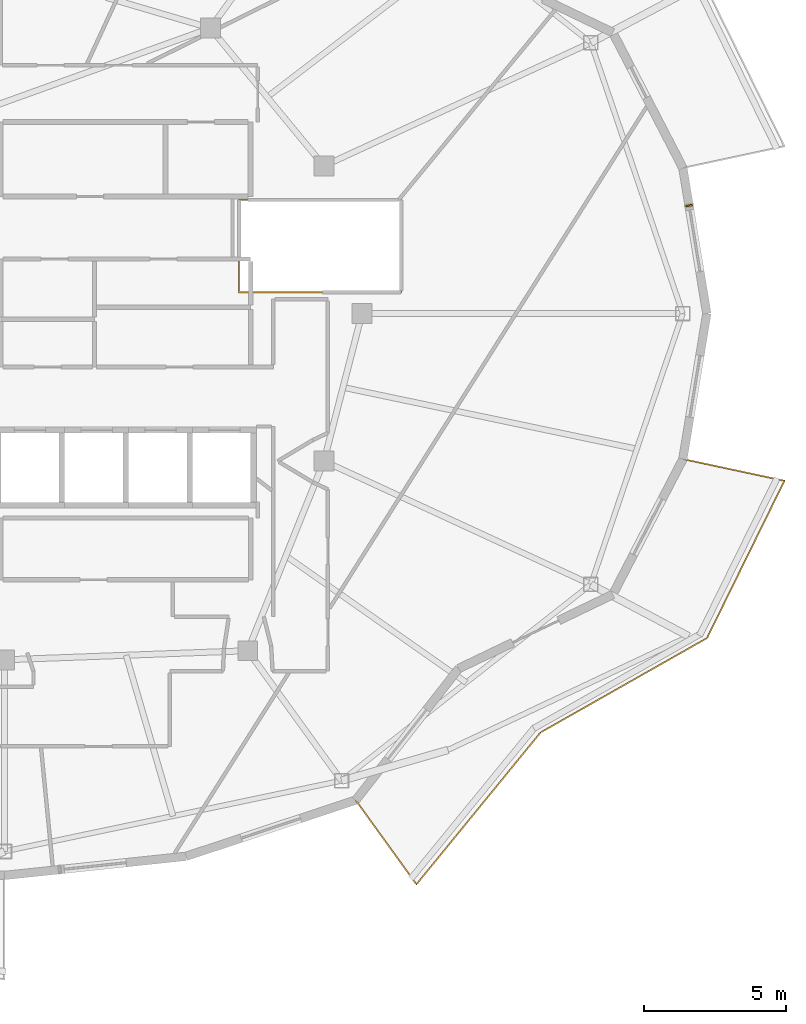
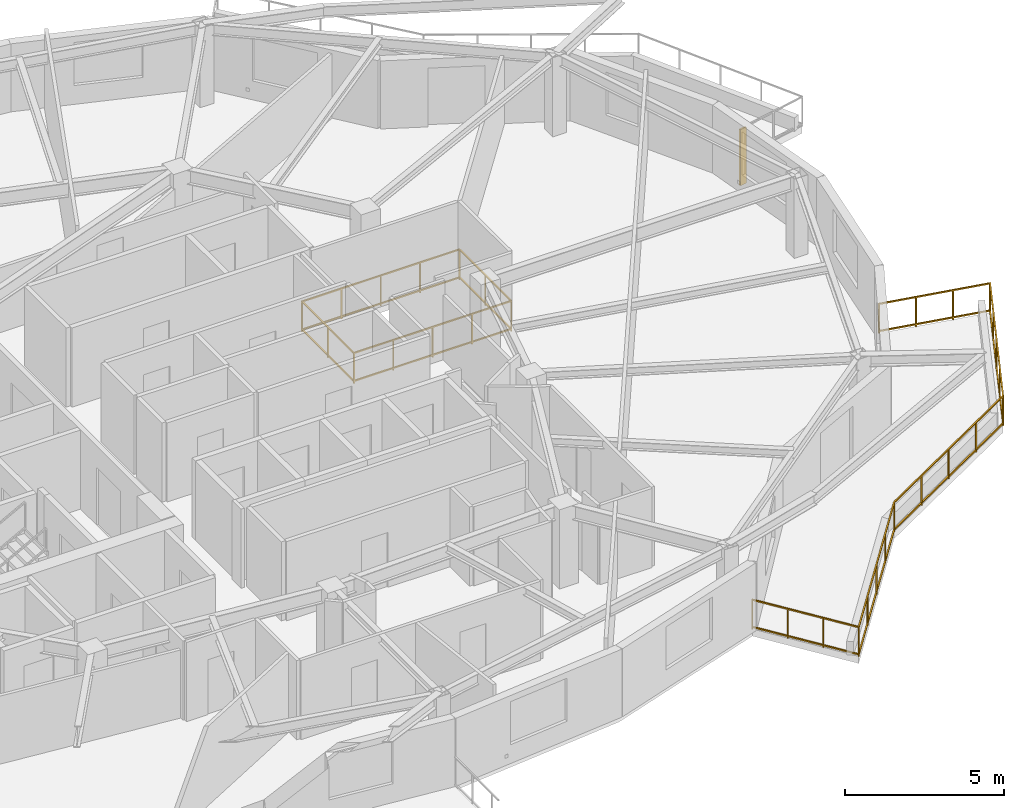
# One storey, part 13 of 14: 2 railings, 1 shading device.
"""IFC4 building model written with IfcOpenShell, lengths in metres."""

import ifcopenshell
import ifcopenshell.guid

model = None  # the IFC model being written
_history = None  # IfcOwnerHistory: only IFC2X3 demands one
_inside = {}  # id of a spatial element -> (the spatial element, [elements in it])
_under = {}  # id of a project, library or spatial element -> (it, [spatial elements below it])
_declared = {}  # id of a project -> (the project, [libraries it declares])
_typed = {}  # id of a type object -> (the type object, [elements of that type])
_made_of = {}  # id of a material, layer set ... -> (it, [elements and type objects made of it])


def new_model(schema):
    """Start an empty IFC model of exactly this schema.

    Asked for "IFC4X3", IfcOpenShell would pick the latest addendum, in which some entities
    have other attributes; the version numbers below select the first issue.
    IFC2X3 requires an IfcOwnerHistory on every rooted entity: one is made here for all.
    """
    global model, _history
    if schema == "IFC4X3":
        model = ifcopenshell.file(schema_version=(4, 3, 0, 0))
    else:
        model = ifcopenshell.file(schema=schema)
    _inside.clear()
    _under.clear()
    _declared.clear()
    _typed.clear()
    _made_of.clear()
    _history = None
    if model.schema == "IFC2X3":
        org = make("IfcOrganization", Name="unknown")
        user = make(
            "IfcPersonAndOrganization",
            ThePerson=make("IfcPerson", FamilyName="unknown"),
            TheOrganization=org,
        )
        app = make(
            "IfcApplication",
            ApplicationDeveloper=org,
            Version="unknown",
            ApplicationFullName="unknown",
            ApplicationIdentifier="unknown",
        )
        _history = make(
            "IfcOwnerHistory",
            OwningUser=user,
            OwningApplication=app,
            ChangeAction="ADDED",
            CreationDate=0,
        )
    return model


def make(cls, **values):
    """One entity of the class cls with the attributes given. An attribute that is None is left unset."""
    return model.create_entity(
        cls, **{name: value for name, value in values.items() if value is not None}
    )


def rooted(cls, **values):
    """An entity with a GlobalId (a new one), such as an element, a storey or a relation."""
    return make(cls, GlobalId=ifcopenshell.guid.new(), OwnerHistory=_history, **values)


def si_unit(unit_type, name, prefix=None):
    """IfcSIUnit, for example si_unit("LENGTHUNIT", "METRE", prefix="MILLI")."""
    return make("IfcSIUnit", UnitType=unit_type, Prefix=prefix, Name=name)


def assignment(units):
    """IfcUnitAssignment: the units of a project."""
    return None if units is None else make("IfcUnitAssignment", Units=units)


def point(xyz):
    """IfcCartesianPoint."""
    return None if xyz is None else make("IfcCartesianPoint", Coordinates=xyz)


def direction(xyz):
    """IfcDirection."""
    return None if xyz is None else make("IfcDirection", DirectionRatios=xyz)


def frame(location, z_axis=None, x_axis=None):
    """IfcAxis2Placement3D, a coordinate frame: its origin and axes. An axis left out is left unset."""
    return make(
        "IfcAxis2Placement3D",
        Location=point(location),
        Axis=direction(z_axis),
        RefDirection=direction(x_axis),
    )


def frame_2d(location, x_axis=None):
    """IfcAxis2Placement2D, a coordinate frame in the plane: its origin and x axis."""
    return make(
        "IfcAxis2Placement2D", Location=point(location), RefDirection=direction(x_axis)
    )


def origin():
    """The frame at (0, 0, 0) with its axes left unset."""
    return frame((0.0, 0.0, 0.0))


def origin_2d():
    """The frame at (0, 0) in the plane with its x axis left unset."""
    return frame_2d((0.0, 0.0))


def place(relative_to, where):
    """IfcLocalPlacement: puts the frame where relative to a parent placement (None: the world)."""
    return make(
        "IfcLocalPlacement", PlacementRelTo=relative_to, RelativePlacement=where
    )


def context(
    kind, dimensions, precision=None, world=None, true_north=None, identifier=None
):
    """IfcGeometricRepresentationContext, for example the 3D "Model" context."""
    return make(
        "IfcGeometricRepresentationContext",
        ContextIdentifier=identifier,
        ContextType=kind,
        CoordinateSpaceDimension=dimensions,
        Precision=precision,
        WorldCoordinateSystem=world,
        TrueNorth=true_north,
    )


def subcontext(parent, identifier, kind, view, scale=None):
    """IfcGeometricRepresentationSubContext, for example "Body" below "Model"."""
    return make(
        "IfcGeometricRepresentationSubContext",
        ContextIdentifier=identifier,
        ContextType=kind,
        ParentContext=parent,
        TargetScale=scale,
        TargetView=view,
    )


def project(units=None, contexts=None):
    """IfcProject with its units and contexts."""
    return rooted(
        "IfcProject",
        Name="project",
        RepresentationContexts=contexts,
        UnitsInContext=assignment(units),
    )


def spatial(cls, under=None, at=None, **own):
    """A site, building, storey or space (cls), placed at a placement, below another one or the project."""
    s = rooted(cls, ObjectPlacement=at, **own)
    if under is not None:
        _under.setdefault(under.id(), (under, []))[1].append(s)
    return s


def profile(cls, at=None, kind="AREA", **sizes):
    """A parametric profile (cls). Its sizes go by their IFC names, for example OverallWidth=200.0."""
    return make(cls, ProfileType=kind, Position=at, **sizes)


def rectangle(**sizes):
    """IfcRectangleProfileDef."""
    return profile("IfcRectangleProfileDef", **sizes)


def extrude(swept, where, along, depth):
    """IfcExtrudedAreaSolid: the profile swept, set in the frame where, extruded along a direction by depth."""
    return make(
        "IfcExtrudedAreaSolid",
        SweptArea=swept,
        Position=where,
        ExtrudedDirection=direction(along),
        Depth=depth,
    )


def shape(context_of_items, identifier, shape_type, items):
    """IfcShapeRepresentation: the items that make up one representation, for example the "Body"."""
    return make(
        "IfcShapeRepresentation",
        ContextOfItems=context_of_items,
        RepresentationIdentifier=identifier,
        RepresentationType=shape_type,
        Items=items,
    )


def material(Name=None, Category=None):
    """IfcMaterial."""
    return make("IfcMaterial", Name=Name, Category=Category)


def made_of(thing, what):
    """Note that an element or type object is made of a material, layer set ...; save() writes the relation."""
    if what is not None:
        _made_of.setdefault(what.id(), (what, []))[1].append(thing)
    return thing


def type_object(cls, material=None, **own):
    """A type object (cls), such as IfcWallType, which elements share."""
    return made_of(rooted(cls, **own), material)


def element(
    cls,
    number,
    at=None,
    inside=None,
    cuts=None,
    type_object=None,
    material=None,
    context=None,
    identifier="Body",
    shape_type=None,
    held_by="IfcProductDefinitionShape",
    body=None,
    shapes=None,
    **own,
):
    """One element of the class cls, such as IfcWall. Its Tag is "e" and its number.

    at: its placement. inside: the storey or other place that contains it. cuts: it is an
    opening in that element (IfcRelVoidsElement). A single representation is given by context,
    identifier, shape_type and body (its items); several are given by shapes. held_by: the class
    of the entity that holds the representations. save() writes the other relations.
    """
    e = rooted(cls, Tag="e%d" % number, ObjectPlacement=at, **own)
    if body is not None:
        shapes = [shape(context, identifier, shape_type, body)]
    if shapes is not None:
        e.Representation = make(held_by, Representations=shapes)
    if inside is not None:
        _inside.setdefault(inside.id(), (inside, []))[1].append(e)
    if cuts is not None:
        rooted(
            "IfcRelVoidsElement", RelatingBuildingElement=cuts, RelatedOpeningElement=e
        )
    if type_object is not None:
        _typed.setdefault(type_object.id(), (type_object, []))[1].append(e)
    return made_of(e, material)


def aggregate(whole, parts):
    """IfcRelAggregates: a whole, such as a stair, and the parts it consists of."""
    return rooted("IfcRelAggregates", RelatingObject=whole, RelatedObjects=parts)


def save(model, path):
    """Write the relations noted so far, then the file.

    IfcRelAggregates (storeys below a building ...), IfcRelContainedInSpatialStructure (elements
    in a storey), IfcRelDefinesByType, IfcRelAssociatesMaterial and IfcRelDeclares: one each for
    every whole, place, type object, material and project.
    """
    for whole, parts in _under.values():
        aggregate(whole, parts)
    for where, things in _inside.values():
        rooted(
            "IfcRelContainedInSpatialStructure",
            RelatedElements=things,
            RelatingStructure=where,
        )
    for kind, things in _typed.values():
        rooted("IfcRelDefinesByType", RelatedObjects=things, RelatingType=kind)
    for what, things in _made_of.values():
        rooted("IfcRelAssociatesMaterial", RelatedObjects=things, RelatingMaterial=what)
    for by, libraries in _declared.values():
        rooted("IfcRelDeclares", RelatingContext=by, RelatedDefinitions=libraries)
    model.write(path)


model = new_model("IFC4")

# Units and contexts
model_context = context("Model", 3, precision=1e-05, world=origin(), true_north=direction((0.0, 1.0)))
body_context = subcontext(model_context, "Body", "Model", "MODEL_VIEW")
ifc_project = project(units=[si_unit("LENGTHUNIT", "METRE"), si_unit("AREAUNIT", "SQUARE_METRE"), si_unit("VOLUMEUNIT", "CUBIC_METRE"), si_unit("PLANEANGLEUNIT", "RADIAN"), si_unit("MASSUNIT", "GRAM", prefix="KILO")], contexts=[model_context])

# Site, building, storey
site_placement = place(None, origin())
site = spatial("IfcSite", under=ifc_project, at=site_placement, CompositionType="ELEMENT")
building_placement = place(site_placement, origin())
building = spatial("IfcBuilding", under=site, at=building_placement, Name="Kolvaren Gate Tower and Convention Centre", CompositionType="ELEMENT")
storey_placement = place(building_placement, frame((0.0, 0.0, 206.300048828125)))
storey = spatial("IfcBuildingStorey", under=building, at=storey_placement, Name="L54", CompositionType="ELEMENT", Elevation=206.300048828125)

# Railings
ifc_material_1 = material(Name="Laminated Tempered Safety Glass Balustrade 21.5 mm", Category="glass")
railing_type_1 = type_object("IfcRailingType", Name="ARCH-RL-BALUST-1180", PredefinedType="BALUSTRADE", material=ifc_material_1)
railing_1_placement = place(storey_placement, frame((38.39990234375, 27.75, 0.0)))
element("IfcRailing", 1, at=railing_1_placement, inside=storey, type_object=railing_type_1, Name="Tower L54 Atrium Void Safety Balustrade", PredefinedType="BALUSTRADE", context=body_context, shape_type="SweptSolid", body=[
    extrude(rectangle(XDim=0.048095703125, YDim=0.048095703125, at=origin_2d()), frame((0.028076171875, 0.0, 1.15576171875), z_axis=(1.0, 0.0, 0.0), x_axis=(0.0, 1.0, 0.0)), (0.0, 0.0, 1.0), 5.64404296875),
    extrude(rectangle(XDim=0.048095703125, YDim=0.048095703125, at=origin_2d()), frame((0.028076171875, 0.0, 0.083984375), z_axis=(1.0, 0.0, 0.0), x_axis=(0.0, 1.0, 0.0)), (0.0, 0.0, 1.0), 5.64404296875),
    extrude(rectangle(XDim=0.048095703125, YDim=0.048095703125, at=origin_2d()), frame((5.7001953125, 0.028076171875, 1.15576171875), z_axis=(0.0, 1.0, 0.0), x_axis=(-1.0, 0.0, 0.0)), (0.0, 0.0, 1.0), 3.19384765625),
    extrude(rectangle(XDim=0.048095703125, YDim=0.048095703125, at=origin_2d()), frame((5.7001953125, 0.028076171875, 0.083984375), z_axis=(0.0, 1.0, 0.0), x_axis=(-1.0, 0.0, 0.0)), (0.0, 0.0, 1.0), 3.19384765625),
    extrude(rectangle(XDim=0.048095703125, YDim=0.048095703125, at=origin_2d()), frame((5.672119140625, 3.25, 1.15576171875), z_axis=(-1.0, 0.0, 0.0), x_axis=(0.0, -1.0, 0.0)), (0.0, 0.0, 1.0), 5.64404296875),
    extrude(rectangle(XDim=0.048095703125, YDim=0.048095703125, at=origin_2d()), frame((5.672119140625, 3.25, 0.083984375), z_axis=(-1.0, 0.0, 0.0), x_axis=(0.0, -1.0, 0.0)), (0.0, 0.0, 1.0), 5.64404296875),
    extrude(rectangle(XDim=0.048095703125, YDim=0.048095703125, at=origin_2d()), frame((0.0, 3.221923828125, 1.15576171875), z_axis=(0.0, -1.0, 0.0), x_axis=(1.0, 0.0, 0.0)), (0.0, 0.0, 1.0), 3.19384765625),
    extrude(rectangle(XDim=0.048095703125, YDim=0.048095703125, at=origin_2d()), frame((0.0, 3.221923828125, 0.083984375), z_axis=(0.0, -1.0, 0.0), x_axis=(1.0, 0.0, 0.0)), (0.0, 0.0, 1.0), 3.19384765625),
    extrude(rectangle(XDim=0.0419921875, YDim=0.0419921875, at=origin_2d()), origin(), (0.0, 0.0, 1.0), 1.179931640625),
    extrude(rectangle(XDim=0.0419921875, YDim=0.0419921875, at=origin_2d()), frame((5.7001953125, 0.0, 0.0)), (0.0, 0.0, 1.0), 1.179931640625),
    extrude(rectangle(XDim=0.0419921875, YDim=0.0419921875, at=origin_2d()), frame((1.425048828125, 0.0, 0.0)), (0.0, 0.0, 1.0), 1.1298828125),
    extrude(rectangle(XDim=0.0419921875, YDim=0.0419921875, at=origin_2d()), frame((2.85009765625, 0.0, 0.0)), (0.0, 0.0, 1.0), 1.1298828125),
    extrude(rectangle(XDim=0.0419921875, YDim=0.0419921875, at=origin_2d()), frame((4.275146484375, 0.0, 0.0)), (0.0, 0.0, 1.0), 1.1298828125),
    extrude(rectangle(XDim=0.0419921875, YDim=0.0419921875, at=origin_2d()), frame((5.7001953125, 3.25, 0.0)), (0.0, 0.0, 1.0), 1.179931640625),
    extrude(rectangle(XDim=0.0419921875, YDim=0.0419921875, at=origin_2d()), frame((5.7001953125, 1.625, 0.0)), (0.0, 0.0, 1.0), 1.1298828125),
    extrude(rectangle(XDim=0.0419921875, YDim=0.0419921875, at=origin_2d()), frame((0.0, 3.25, 0.0)), (0.0, 0.0, 1.0), 1.179931640625),
    extrude(rectangle(XDim=0.0419921875, YDim=0.0419921875, at=origin_2d()), frame((4.275146484375, 3.25, 0.0)), (0.0, 0.0, 1.0), 1.1298828125),
    extrude(rectangle(XDim=0.0419921875, YDim=0.0419921875, at=origin_2d()), frame((2.85009765625, 3.25, 0.0)), (0.0, 0.0, 1.0), 1.1298828125),
    extrude(rectangle(XDim=0.0419921875, YDim=0.0419921875, at=origin_2d()), frame((1.425048828125, 3.25, 0.0)), (0.0, 0.0, 1.0), 1.1298828125),
    extrude(rectangle(XDim=0.0419921875, YDim=0.0419921875, at=origin_2d()), frame((0.0, 1.625, 0.0)), (0.0, 0.0, 1.0), 1.1298828125),
])
ifc_material_2 = material(Name="Brushed Stainless Steel Grade 316L", Category="steel")
railing_type_2 = type_object("IfcRailingType", Name="ARCH-RL-GUARD-1150", PredefinedType="GUARDRAIL", material=ifc_material_2)
railing_2_placement = place(storey_placement, frame((42.5, 9.852783203125, 0.0)))
element("IfcRailing", 2, at=railing_2_placement, inside=storey, type_object=railing_type_2, Name="Tower L54 Terrace Perimeter Guardrail GR-4", PredefinedType="GUARDRAIL", context=body_context, shape_type="SweptSolid", body=[
    extrude(rectangle(XDim=0.048095703125, YDim=0.048095703125, at=origin_2d()), frame((0.016357421875, -0.022705078125, 1.1259765625), z_axis=(0.585212870465, -0.810879705161, 0.0), x_axis=(0.810879705161, 0.585212870465, 0.0)), (0.0, 0.0, 1.0), 3.603759765625),
    extrude(rectangle(XDim=0.048095703125, YDim=0.048095703125, at=origin_2d()), frame((0.016357421875, -0.022705078125, 0.083984375), z_axis=(0.585212870465, -0.810879705161, 0.0), x_axis=(0.810879705161, 0.585212870465, 0.0)), (0.0, 0.0, 1.0), 3.603759765625),
    extrude(rectangle(XDim=0.048095703125, YDim=0.048095703125, at=origin_2d()), frame((2.15966796875, -2.946044921875, 1.1259765625), z_axis=(0.632718487063, 0.77438189295, 0.0), x_axis=(-0.77438189295, 0.632718487063, 0.0)), (0.0, 0.0, 1.0), 6.858154296875),
    extrude(rectangle(XDim=0.048095703125, YDim=0.048095703125, at=origin_2d()), frame((2.15966796875, -2.946044921875, 0.083984375), z_axis=(0.632718487063, 0.77438189295, 0.0), x_axis=(-0.77438189295, 0.632718487063, 0.0)), (0.0, 0.0, 1.0), 6.858154296875),
    extrude(rectangle(XDim=0.048095703125, YDim=0.048095703125, at=origin_2d()), frame((6.541015625, 2.400390625, 1.1259765625), z_axis=(0.869876155964, 0.493270182846, 0.0), x_axis=(-0.493270182846, 0.869876155964, 0.0)), (0.0, 0.0, 1.0), 6.6865234375),
    extrude(rectangle(XDim=0.048095703125, YDim=0.048095703125, at=origin_2d()), frame((6.541015625, 2.400390625, 0.083984375), z_axis=(0.869876155964, 0.493270182846, 0.0), x_axis=(-0.493270182846, 0.869876155964, 0.0)), (0.0, 0.0, 1.0), 6.6865234375),
    extrude(rectangle(XDim=0.048095703125, YDim=0.048095703125, at=origin_2d()), frame((12.394287109375, 5.737548828125, 1.1259765625), z_axis=(0.441625304244, 0.897199582396, 0.0), x_axis=(-0.897199582396, 0.441625304244, 0.0)), (0.0, 0.0, 1.0), 6.122314453125),
    extrude(rectangle(XDim=0.048095703125, YDim=0.048095703125, at=origin_2d()), frame((12.394287109375, 5.737548828125, 0.083984375), z_axis=(0.441625304244, 0.897199582396, 0.0), x_axis=(-0.897199582396, 0.441625304244, 0.0)), (0.0, 0.0, 1.0), 6.122314453125),
    extrude(rectangle(XDim=0.048095703125, YDim=0.048095703125, at=origin_2d()), frame((15.0830078125, 11.261474609375, 1.1259765625), z_axis=(-0.977788745232, 0.209592866525, 0.0), x_axis=(-0.209592866525, -0.977788745232, 0.0)), (0.0, 0.0, 1.0), 3.603759765625),
    extrude(rectangle(XDim=0.048095703125, YDim=0.048095703125, at=origin_2d()), frame((15.0830078125, 11.261474609375, 0.083984375), z_axis=(-0.977788745232, 0.209592866525, 0.0), x_axis=(-0.209592866525, -0.977788745232, 0.0)), (0.0, 0.0, 1.0), 3.603759765625),
    extrude(rectangle(XDim=0.0419921875, YDim=0.0419921875, at=origin_2d()), origin(), (0.0, 0.0, 1.0), 1.14990234375),
    extrude(rectangle(XDim=0.0419921875, YDim=0.0419921875, at=origin_2d()), frame((2.141845703125, -2.9677734375, 0.0)), (0.0, 0.0, 1.0), 1.14990234375),
    extrude(rectangle(XDim=0.0419921875, YDim=0.0419921875, at=origin_2d()), frame((0.7138671875, -0.9892578125, 0.0)), (0.0, 0.0, 1.0), 1.099853515625),
    extrude(rectangle(XDim=0.0419921875, YDim=0.0419921875, at=origin_2d()), frame((1.427978515625, -1.978515625, 0.0)), (0.0, 0.0, 1.0), 1.099853515625),
    extrude(rectangle(XDim=0.0419921875, YDim=0.0419921875, at=origin_2d()), frame((6.5166015625, 2.386474609375, 0.0)), (0.0, 0.0, 1.0), 1.14990234375),
    extrude(rectangle(XDim=0.0419921875, YDim=0.0419921875, at=origin_2d()), frame((3.235595703125, -1.629150390625, 0.0)), (0.0, 0.0, 1.0), 1.099853515625),
    extrude(rectangle(XDim=0.0419921875, YDim=0.0419921875, at=origin_2d()), frame((4.3291015625, -0.29052734375, 0.0)), (0.0, 0.0, 1.0), 1.099853515625),
    extrude(rectangle(XDim=0.0419921875, YDim=0.0419921875, at=origin_2d()), frame((5.4228515625, 1.0478515625, 0.0)), (0.0, 0.0, 1.0), 1.099853515625),
    extrude(rectangle(XDim=0.0419921875, YDim=0.0419921875, at=origin_2d()), frame((12.3818359375, 5.71240234375, 0.0)), (0.0, 0.0, 1.0), 1.14990234375),
    extrude(rectangle(XDim=0.0419921875, YDim=0.0419921875, at=origin_2d()), frame((7.98291015625, 3.218017578125, 0.0)), (0.0, 0.0, 1.0), 1.099853515625),
    extrude(rectangle(XDim=0.0419921875, YDim=0.0419921875, at=origin_2d()), frame((9.44921875, 4.04931640625, 0.0)), (0.0, 0.0, 1.0), 1.099853515625),
    extrude(rectangle(XDim=0.0419921875, YDim=0.0419921875, at=origin_2d()), frame((10.91552734375, 4.880859375, 0.0)), (0.0, 0.0, 1.0), 1.099853515625),
    extrude(rectangle(XDim=0.0419921875, YDim=0.0419921875, at=origin_2d()), frame((15.1103515625, 11.255615234375, 0.0)), (0.0, 0.0, 1.0), 1.14990234375),
    extrude(rectangle(XDim=0.0419921875, YDim=0.0419921875, at=origin_2d()), frame((13.06396484375, 7.09814453125, 0.0)), (0.0, 0.0, 1.0), 1.099853515625),
    extrude(rectangle(XDim=0.0419921875, YDim=0.0419921875, at=origin_2d()), frame((13.74609375, 8.48388671875, 0.0)), (0.0, 0.0, 1.0), 1.099853515625),
    extrude(rectangle(XDim=0.0419921875, YDim=0.0419921875, at=origin_2d()), frame((14.42822265625, 9.869873046875, 0.0)), (0.0, 0.0, 1.0), 1.099853515625),
    extrude(rectangle(XDim=0.0419921875, YDim=0.0419921875, at=origin_2d()), frame((11.53173828125, 12.022705078125, 0.0)), (0.0, 0.0, 1.0), 1.14990234375),
    extrude(rectangle(XDim=0.0419921875, YDim=0.0419921875, at=origin_2d()), frame((13.91748046875, 11.51123046875, 0.0)), (0.0, 0.0, 1.0), 1.099853515625),
    extrude(rectangle(XDim=0.0419921875, YDim=0.0419921875, at=origin_2d()), frame((12.724609375, 11.76708984375, 0.0)), (0.0, 0.0, 1.0), 1.099853515625),
])

# Shading device
ifc_material_3 = material(Name="Kiln-Fired Bogota Terracotta Ceramic Louvre Profile", Category="masonry")
shading_device_type = type_object("IfcShadingDeviceType", Name="ARCH-SHD-FIN-180", PredefinedType="JALOUSIE", material=ifc_material_3)
shading_device_placement = place(storey_placement, frame((54.248779296875, 30.805419921875, 0.219970703125), z_axis=(0.0, 0.0, 1.0), x_axis=(0.162375401515, -0.986729055508, 0.0)))
element("IfcShadingDevice", 3, at=shading_device_placement, inside=storey, type_object=shading_device_type, Name="Ceramic Vertical Brise-Soleil Fin FN-L54-00", PredefinedType="JALOUSIE", context=body_context, shape_type="SweptSolid", body=[
    extrude(rectangle(XDim=0.06005859375, YDim=0.239990234375, at=origin_2d()), origin(), (0.0, 0.0, 1.0), 2.14990234375),
])

save(model, "model.ifc")
